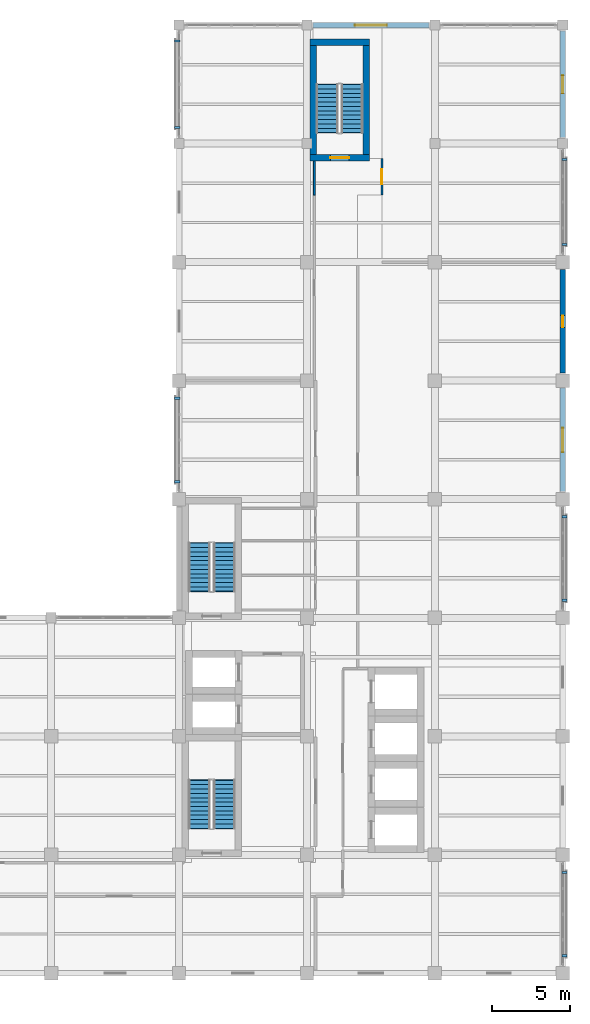
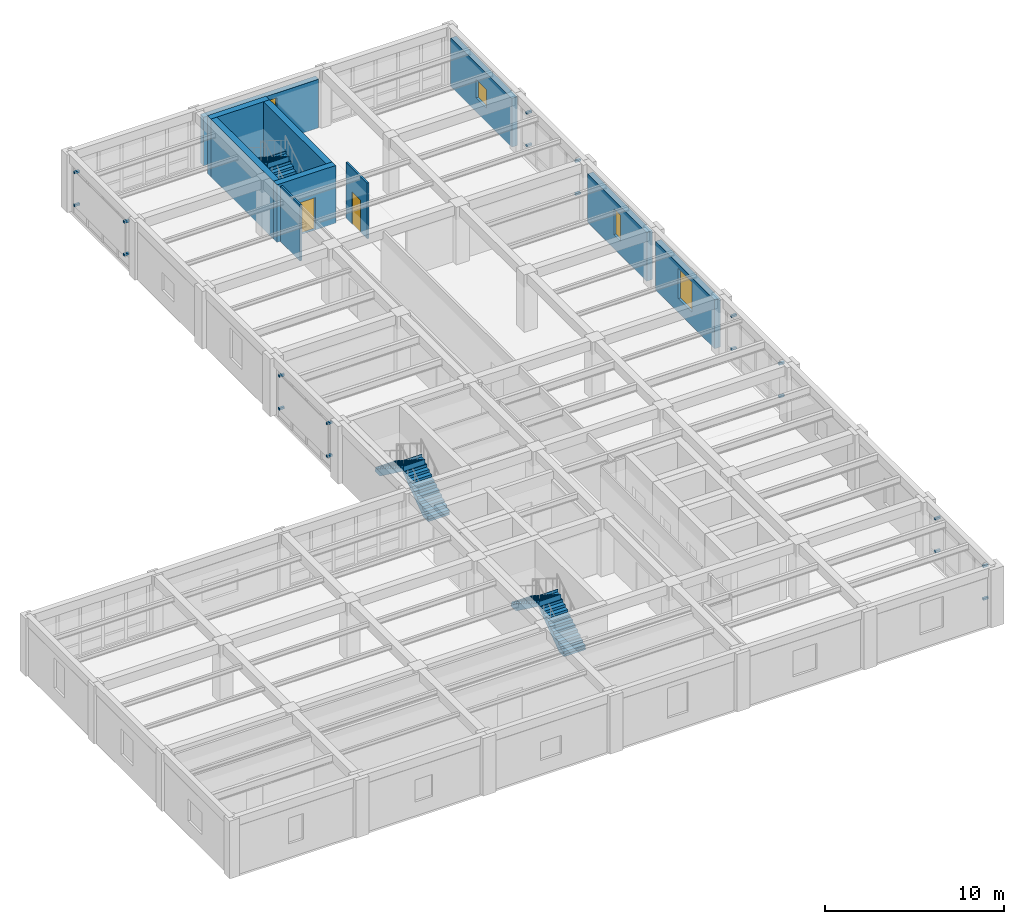
# One storey, part 11 of 17: 20 discrete accessories, 10 walls, 6 stair flights, 4 windows, 2 doors, 6 openings, 3 elements without a shape of their own.
"""IFC4 building model written with IfcOpenShell, lengths in metres."""

from ifc_helpers import new_model, si_unit, direction, frame, frame_2d, origin, origin_2d, place, context, subcontext, project, spatial, polyline, rectangle, outline, extrude, material, layer, layer_set, type_object, element, fill, aggregate, save


model = new_model("IFC4")

# Units and contexts
model_context = context("Model", 3, precision=1e-05, world=origin(), true_north=direction((0.0, 1.0)))
body_context = subcontext(model_context, "Body", "Model", "MODEL_VIEW")
ifc_project = project(units=[si_unit("LENGTHUNIT", "METRE"), si_unit("AREAUNIT", "SQUARE_METRE"), si_unit("VOLUMEUNIT", "CUBIC_METRE"), si_unit("PLANEANGLEUNIT", "RADIAN"), si_unit("MASSUNIT", "GRAM", prefix="KILO")], contexts=[model_context])

# Site, building, storey
site_placement = place(None, origin())
site = spatial("IfcSite", under=ifc_project, at=site_placement, CompositionType="ELEMENT")
building_placement = place(site_placement, origin())
building = spatial("IfcBuilding", under=site, at=building_placement, Name="Qandaris Square Conservatory and Botanical Centre", CompositionType="ELEMENT")
storey_placement = place(building_placement, frame((0.0, 0.0, 28.199951171875)))
storey = spatial("IfcBuildingStorey", under=building, at=storey_placement, Name="L06", CompositionType="ELEMENT", Elevation=28.199951171875)

# Wall, opening, window
ifc_material_1 = material(Name="Precast concrete C40/50", Category="concrete")
ifc_layer_1 = layer(ifc_material_1, 0.360107421875)
ifc_layer_set_1 = layer_set([ifc_layer_1], Name="Precast concrete C40/50")
wall_type_1 = type_object("IfcWallType", Name="Architectural Precast Cladding Wall 360mm", PredefinedType="SOLIDWALL", material=ifc_layer_set_1)
wall_1_placement = place(storey_placement, frame((163.800048828125, 47.485107421875, 0.0), z_axis=(0.0, 0.0, 1.0), x_axis=(0.0, 1.0, 0.0)))
wall_1 = element("IfcWall", 1, at=wall_1_placement, inside=storey, type_object=wall_type_1, Name="Exterior Wall EW-TWR-L06-2-5", PredefinedType="SOLIDWALL", context=body_context, shape_type="SweptSolid", body=[
    extrude(rectangle(XDim=6.6298828125, YDim=0.360107421875, at=frame_2d((3.31494140625, 0.0))), origin(), (0.0, 0.0, 1.0), 3.324951171875),
])
opening_1_placement = place(wall_1_placement, frame((2.5400390625, 0.0, 0.949951171875)))
opening_1 = element("IfcOpeningElement", 2, at=opening_1_placement, cuts=wall_1, Name="Opening WN-28", PredefinedType="OPENING", context=body_context, shape_type="SweptSolid", body=[
    extrude(rectangle(XDim=1.550048828125, YDim=2.050048828125, at=frame_2d((0.77490234375, 1.02490234375))), frame((0.0, 0.19189453125, 0.0), z_axis=(0.0, -1.0, 0.0), x_axis=(1.0, 0.0, 0.0)), (0.0, 0.0, 1.0), 0.384033203125),
])
ifc_material_2 = material(Name="Tempered Low-E Glass", Category="glass")
window_type_1 = type_object("IfcWindowType", Name="Solar Control Window 1550x2050", PartitioningType="DOUBLE_PANEL_VERTICAL", PredefinedType="WINDOW", material=ifc_material_2)
window_1_placement = place(opening_1_placement, origin())
window_1 = element("IfcWindow", 3, at=window_1_placement, inside=storey, type_object=window_type_1, Name="Window EW-TWR-L06-2-5", OverallHeight=2.050048828125, OverallWidth=1.550048828125, PartitioningType="DOUBLE_PANEL_VERTICAL", PredefinedType="WINDOW", context=body_context, shape_type="SweptSolid", body=[
    extrude(rectangle(XDim=1.550048828125, YDim=2.050048828125, at=frame_2d((0.77490234375, 1.02490234375))), frame((0.0, 0.030029296875, 0.0), z_axis=(0.0, -1.0, 0.0), x_axis=(1.0, 0.0, 0.0)), (0.0, 0.0, 1.0), 0.06005859375),
])
fill(opening_1, window_1)

wall_2_placement = place(storey_placement, frame((163.800048828125, 55.0849609375, 0.0), z_axis=(0.0, 0.0, 1.0), x_axis=(0.0, 1.0, 0.0)))
wall_2 = element("IfcWall", 4, at=wall_2_placement, inside=storey, type_object=wall_type_1, Name="Exterior Wall EW-TWR-L06-2-6", PredefinedType="SOLIDWALL", context=body_context, shape_type="SweptSolid", body=[
    extrude(rectangle(XDim=6.630126953125, YDim=0.360107421875, at=frame_2d((3.31494140625, 0.0))), origin(), (0.0, 0.0, 1.0), 3.324951171875),
])
opening_2_placement = place(wall_2_placement, frame((2.93994140625, 0.0, 0.949951171875)))
opening_2 = element("IfcOpeningElement", 5, at=opening_2_placement, cuts=wall_2, Name="Opening WN-03", PredefinedType="OPENING", context=body_context, shape_type="SweptSolid", body=[
    extrude(rectangle(XDim=0.75, YDim=1.800048828125, at=frame_2d((0.375, 0.89990234375))), frame((0.0, 0.19189453125, 0.0), z_axis=(0.0, -1.0, 0.0), x_axis=(1.0, 0.0, 0.0)), (0.0, 0.0, 1.0), 0.384033203125),
])
window_type_2 = type_object("IfcWindowType", Name="Herbarium UV-Filtered Slot Window 750x1800", PartitioningType="SINGLE_PANEL", PredefinedType="WINDOW", material=ifc_material_2)
window_2_placement = place(opening_2_placement, origin())
window_2 = element("IfcWindow", 6, at=window_2_placement, inside=storey, type_object=window_type_2, Name="Window EW-TWR-L06-2-6", OverallHeight=1.800048828125, OverallWidth=0.75, PartitioningType="SINGLE_PANEL", PredefinedType="WINDOW", context=body_context, shape_type="SweptSolid", body=[
    extrude(rectangle(XDim=0.75, YDim=1.800048828125, at=frame_2d((0.375, 0.89990234375))), frame((0.0, 0.030029296875, 0.0), z_axis=(0.0, -1.0, 0.0), x_axis=(1.0, 0.0, 0.0)), (0.0, 0.0, 1.0), 0.06005859375),
])
fill(opening_2, window_2)

wall_3_placement = place(storey_placement, frame((163.800048828125, 70.18505859375, 0.0), z_axis=(0.0, 0.0, 1.0), x_axis=(0.0, 1.0, 0.0)))
wall_3 = element("IfcWall", 7, at=wall_3_placement, inside=storey, type_object=wall_type_1, Name="Exterior Wall EW-TWR-L06-2-8", PredefinedType="SOLIDWALL", context=body_context, shape_type="SweptSolid", body=[
    extrude(rectangle(XDim=6.829833984375, YDim=0.360107421875, at=frame_2d((3.4150390625, 0.0))), origin(), (0.0, 0.0, 1.0), 3.324951171875),
])
opening_3_placement = place(wall_3_placement, frame((2.840087890625, 0.0, 0.949951171875)))
opening_3 = element("IfcOpeningElement", 8, at=opening_3_placement, cuts=wall_3, Name="Opening WN-17", PredefinedType="OPENING", context=body_context, shape_type="SweptSolid", body=[
    extrude(rectangle(XDim=1.14990234375, YDim=1.25, at=frame_2d((0.574951171875, 0.625))), frame((0.0, 0.19189453125, 0.0), z_axis=(0.0, -1.0, 0.0), x_axis=(1.0, 0.0, 0.0)), (0.0, 0.0, 1.0), 0.384033203125),
])
window_type_3 = type_object("IfcWindowType", Name="Solar Control Window 1150x1250", PartitioningType="SINGLE_PANEL", PredefinedType="WINDOW", material=ifc_material_2)
window_3_placement = place(opening_3_placement, origin())
window_3 = element("IfcWindow", 9, at=window_3_placement, inside=storey, type_object=window_type_3, Name="Window EW-TWR-L06-2-8", OverallHeight=1.25, OverallWidth=1.14990234375, PartitioningType="SINGLE_PANEL", PredefinedType="WINDOW", context=body_context, shape_type="SweptSolid", body=[
    extrude(rectangle(XDim=1.14990234375, YDim=1.25, at=frame_2d((0.574951171875, 0.625))), frame((0.0, 0.030029296875, 0.0), z_axis=(0.0, -1.0, 0.0), x_axis=(1.0, 0.0, 0.0)), (0.0, 0.0, 1.0), 0.06005859375),
])
fill(opening_3, window_3)

wall_4_placement = place(storey_placement, frame((155.215087890625, 77.39990234375, 0.0), z_axis=(0.0, 0.0, 1.0), x_axis=(-1.0, 0.0, 0.0)))
wall_4 = element("IfcWall", 10, at=wall_4_placement, inside=storey, type_object=wall_type_1, Name="Exterior Wall EW-TWR-L06-3-2", PredefinedType="SOLIDWALL", context=body_context, shape_type="SweptSolid", body=[
    extrude(rectangle(XDim=7.43017578125, YDim=0.360107421875, at=frame_2d((3.715087890625, 0.0))), origin(), (0.0, 0.0, 1.0), 3.324951171875),
])
opening_4_placement = place(wall_4_placement, frame((2.68994140625, 0.0, 0.949951171875)))
opening_4 = element("IfcOpeningElement", 11, at=opening_4_placement, cuts=wall_4, Name="Opening WN-36", PredefinedType="OPENING", context=body_context, shape_type="SweptSolid", body=[
    extrude(rectangle(XDim=2.050048828125, YDim=2.050048828125, at=frame_2d((1.02490234375, 1.02490234375))), frame((0.0, 0.19189453125, 0.0), z_axis=(0.0, -1.0, 0.0), x_axis=(1.0, 0.0, 0.0)), (0.0, 0.0, 1.0), 0.384033203125),
])
window_type_4 = type_object("IfcWindowType", Name="Solar Control Window 2050x2050", PartitioningType="DOUBLE_PANEL_VERTICAL", PredefinedType="WINDOW", material=ifc_material_2)
window_4_placement = place(opening_4_placement, origin())
window_4 = element("IfcWindow", 12, at=window_4_placement, inside=storey, type_object=window_type_4, Name="Window EW-TWR-L06-3-2", OverallHeight=2.050048828125, OverallWidth=2.050048828125, PartitioningType="DOUBLE_PANEL_VERTICAL", PredefinedType="WINDOW", context=body_context, shape_type="SweptSolid", body=[
    extrude(rectangle(XDim=2.050048828125, YDim=2.050048828125, at=frame_2d((1.02490234375, 1.02490234375))), frame((0.0, 0.030029296875, 0.0), z_axis=(0.0, -1.0, 0.0), x_axis=(1.0, 0.0, 0.0)), (0.0, 0.0, 1.0), 0.06005859375),
])
fill(opening_4, window_4)

# Wall, opening, door
ifc_material_3 = material(Name="Concrete C50/60", Category="concrete")
ifc_layer_2 = layer(ifc_material_3, 0.39990234375)
ifc_layer_set_2 = layer_set([ifc_layer_2], Name="Concrete C50/60")
wall_type_2 = type_object("IfcWallType", Name="RC Stair Core Shear Wall 400mm", PredefinedType="SHEAR", material=ifc_layer_set_2)
wall_5_placement = place(storey_placement, frame((147.60009765625, 68.89990234375, 0.0), z_axis=(0.0, 0.0, 1.0), x_axis=(1.0, 0.0, 0.0)))
wall_5 = element("IfcWall", 13, at=wall_5_placement, inside=storey, type_object=wall_type_2, Name="ST-3 Core Shear Wall South (L06)", PredefinedType="SHEAR", context=body_context, shape_type="SweptSolid", body=[
    extrude(rectangle(XDim=3.7998046875, YDim=0.39990234375, at=frame_2d((1.89990234375, 0.0))), origin(), (0.0, 0.0, 1.0), 3.93994140625),
])
opening_5_placement = place(wall_5_placement, frame((1.300048828125, 0.0, 0.0)))
opening_5 = element("IfcOpeningElement", 14, at=opening_5_placement, cuts=wall_5, Name="Opening D-ST1", PredefinedType="OPENING", context=body_context, shape_type="SweptSolid", body=[
    extrude(rectangle(XDim=1.199951171875, YDim=2.199951171875, at=frame_2d((0.60009765625, 1.10009765625))), frame((0.0, 0.2119140625, 0.0), z_axis=(0.0, -1.0, 0.0), x_axis=(1.0, 0.0, 0.0)), (0.0, 0.0, 1.0), 0.423828125),
])
ifc_material_4 = material(Name="Steel S355", Category="steel")
door_type_1 = type_object("IfcDoorType", Name="Exit Stair Core Fire Door 1200x2200", OperationType="NOTDEFINED", PredefinedType="DOOR", material=ifc_material_4)
door_1_placement = place(opening_5_placement, origin())
door_1 = element("IfcDoor", 15, at=door_1_placement, inside=storey, type_object=door_type_1, Name="DR-0235 ST-3 Stair Core Door (L06)", OperationType="SINGLE_SWING_RIGHT", OverallHeight=2.199951171875, OverallWidth=1.199951171875, PredefinedType="DOOR", context=body_context, shape_type="SweptSolid", body=[
    extrude(rectangle(XDim=1.199951171875, YDim=2.199951171875, at=frame_2d((0.60009765625, 1.10009765625))), frame((0.0, 0.02490234375, 0.0), z_axis=(0.0, -1.0, 0.0), x_axis=(1.0, 0.0, 0.0)), (0.0, 0.0, 1.0), 0.050048828125),
])
fill(opening_5, door_1)

# Walls
wall_6_placement = place(storey_placement, frame((147.60009765625, 76.300048828125, 0.0), z_axis=(0.0, 0.0, 1.0), x_axis=(1.0, 0.0, 0.0)))
element("IfcWall", 16, at=wall_6_placement, inside=storey, type_object=wall_type_2, Name="ST-3 Core Shear Wall North (L06)", PredefinedType="SHEAR", context=body_context, shape_type="SweptSolid", body=[
    extrude(rectangle(XDim=3.7998046875, YDim=0.39990234375, at=frame_2d((1.89990234375, 0.0))), origin(), (0.0, 0.0, 1.0), 3.93994140625),
])
for number, where, z_axis, x_axis, name in (
    (17, (147.800048828125, 69.10009765625, 0.0), (0.0, 0.0, 1.0), (0.0, 1.0, 0.0), "ST-3 Core Shear Wall West (L06)"),
    (18, (151.199951171875, 69.10009765625, 0.0), (0.0, 0.0, 1.0), (0.0, 1.0, 0.0), "ST-3 Core Shear Wall East (L06)"),
):
    element("IfcWall", number, at=place(storey_placement, frame(where, z_axis=z_axis, x_axis=x_axis)), inside=storey, type_object=wall_type_2, Name=name, PredefinedType="SHEAR", context=body_context, shape_type="SweptSolid", body=[
        extrude(rectangle(XDim=7.0, YDim=0.39990234375, at=frame_2d((3.5, 0.0))), origin(), (0.0, 0.0, 1.0), 3.93994140625),
    ])
ifc_material_5 = material(Name="Gypsum Plasterboard", Category="gypsum")
ifc_layer_3 = layer(ifc_material_5, 0.1201171875)
ifc_layer_set_3 = layer_set([ifc_layer_3], Name="Gypsum Plasterboard")
wall_type_3 = type_object("IfcWallType", Name="Standard Research Partition 120mm", PredefinedType="PARTITIONING", material=ifc_layer_set_3)
wall_7_placement = place(storey_placement, frame((147.875, 66.5, 0.0), z_axis=(0.0, 0.0, 1.0), x_axis=(0.0, 1.0, 0.0)))
element("IfcWall", 19, at=wall_7_placement, inside=storey, type_object=wall_type_3, Name="Interior Partition IW-L06-0258", PredefinedType="PARTITIONING", context=body_context, shape_type="SweptSolid", body=[
    extrude(rectangle(XDim=2.169921875, YDim=0.1201171875, at=frame_2d((1.0849609375, 0.0))), origin(), (0.0, 0.0, 1.0), 3.804931640625),
])

# Wall, opening, door
wall_8_placement = place(storey_placement, frame((152.199951171875, 68.85009765625, 0.0), z_axis=(0.0, 0.0, 1.0), x_axis=(0.0, -1.0, 0.0)))
wall_8 = element("IfcWall", 20, at=wall_8_placement, inside=storey, type_object=wall_type_3, Name="Interior Partition IW-L06-0259", PredefinedType="PARTITIONING", context=body_context, shape_type="SweptSolid", body=[
    extrude(rectangle(XDim=2.35009765625, YDim=0.1201171875, at=frame_2d((1.175048828125, 0.0))), origin(), (0.0, 0.0, 1.0), 3.804931640625),
])
opening_6_placement = place(wall_8_placement, frame((0.699951171875, 0.0, 0.0)))
opening_6 = element("IfcOpeningElement", 21, at=opening_6_placement, cuts=wall_8, Name="Opening D-OFF1", PredefinedType="OPENING", context=body_context, shape_type="SweptSolid", body=[
    extrude(rectangle(XDim=0.949951171875, YDim=2.199951171875, at=frame_2d((0.47509765625, 1.10009765625))), frame((0.0, 0.072021484375, 0.0), z_axis=(0.0, -1.0, 0.0), x_axis=(1.0, 0.0, 0.0)), (0.0, 0.0, 1.0), 0.14404296875),
])
ifc_material_6 = material(Name="Engineered Oak Timber", Category="wood")
door_type_2 = type_object("IfcDoorType", Name="Research Office Acoustic Door 950x2200", OperationType="NOTDEFINED", PredefinedType="DOOR", material=ifc_material_6)
door_2_placement = place(opening_6_placement, origin())
door_2 = element("IfcDoor", 22, at=door_2_placement, inside=storey, type_object=door_type_2, Name="DR-0231 Floor L06 Staff Write-Up Lounge Door", OperationType="SINGLE_SWING_LEFT", OverallHeight=2.199951171875, OverallWidth=0.949951171875, PredefinedType="DOOR", context=body_context, shape_type="SweptSolid", body=[
    extrude(rectangle(XDim=0.949951171875, YDim=2.199951171875, at=frame_2d((0.47509765625, 1.10009765625))), frame((0.0, 0.02490234375, 0.0), z_axis=(0.0, -1.0, 0.0), x_axis=(1.0, 0.0, 0.0)), (0.0, 0.0, 1.0), 0.050048828125),
])
fill(opening_6, door_2)

# Stair, stair flights
ifc_material_7 = material(Name="Concrete C40/50", Category="concrete")
stair_type = type_object("IfcStairType", Name="Core Escape Scissor Stair", PredefinedType="HALF_TURN_STAIR", material=ifc_material_7)
stair_1_placement = place(storey_placement, origin())
stair_1 = element("IfcStair", 23, at=stair_1_placement, inside=storey, type_object=stair_type, Name="L06 Tower South Exit Stair ST-1", PredefinedType="HALF_TURN_STAIR")
stair_flight_type = type_object("IfcStairFlightType", Name="RC Precast Stair Flight 1400mm", PredefinedType="STRAIGHT", material=ifc_material_1)
stair_flight_1_placement = place(storey_placement, frame((142.10009765625, 25.89990234375, 0.0), z_axis=(0.0, 0.0, 1.0), x_axis=(0.0, 1.0, 0.0)))
stair_flight_1 = element("IfcStairFlight", 24, at=stair_flight_1_placement, type_object=stair_flight_type, Name="ST-1 flight 1", NumberOfRisers=12, NumberOfTreads=11, PredefinedType="STRAIGHT", RiserHeight=0.175, TreadLength=0.28, context=body_context, shape_type="SweptSolid", body=[
    extrude(outline(polyline([(-0.034912109375, 0.0), (0.0, 0.0), (0.0, 0.175048828125), (0.280029296875, 0.175048828125), (0.280029296875, 0.35009765625), (0.56005859375, 0.35009765625), (0.56005859375, 0.52490234375), (0.840087890625, 0.52490234375), (0.840087890625, 0.699951171875), (1.1201171875, 0.699951171875), (1.1201171875, 0.875), (1.39990234375, 0.875), (1.39990234375, 1.050048828125), (1.679931640625, 1.050048828125), (1.679931640625, 1.22509765625), (1.9599609375, 1.22509765625), (1.9599609375, 1.39990234375), (2.239990234375, 1.39990234375), (2.239990234375, 1.574951171875), (2.52001953125, 1.574951171875), (2.52001953125, 1.75), (2.800048828125, 1.75), (2.800048828125, 1.925048828125), (3.080078125, 1.925048828125), (3.080078125, 2.10009765625), (3.114990234375, 2.10009765625), (3.114990234375, 1.748291015625), (3.080078125, 1.748291015625), (0.5068359375, -0.139892578125), (-0.034912109375, -0.139892578125), (-0.034912109375, 0.0)])), frame((0.0, 0.699951171875, 0.0), z_axis=(0.0, -1.0, 0.0), x_axis=(1.0, 0.0, 0.0)), (0.0, 0.0, 1.0), 1.39990234375),
])
stair_flight_2_placement = place(storey_placement, frame((140.5, 28.97998046875, 2.10009765625), z_axis=(0.0, 0.0, 1.0), x_axis=(0.0, -1.0, 0.0)))
stair_flight_2 = element("IfcStairFlight", 25, at=stair_flight_2_placement, type_object=stair_flight_type, Name="ST-1 flight 2", NumberOfRisers=12, NumberOfTreads=11, PredefinedType="STRAIGHT", RiserHeight=0.175, TreadLength=0.28, context=body_context, shape_type="SweptSolid", body=[
    extrude(outline(polyline([(-0.034912109375, 0.0), (0.0, 0.0), (0.0, 0.175048828125), (0.280029296875, 0.175048828125), (0.280029296875, 0.35009765625), (0.56005859375, 0.35009765625), (0.56005859375, 0.52490234375), (0.840087890625, 0.52490234375), (0.840087890625, 0.699951171875), (1.1201171875, 0.699951171875), (1.1201171875, 0.875), (1.39990234375, 0.875), (1.39990234375, 1.050048828125), (1.679931640625, 1.050048828125), (1.679931640625, 1.22509765625), (1.9599609375, 1.22509765625), (1.9599609375, 1.39990234375), (2.239990234375, 1.39990234375), (2.239990234375, 1.574951171875), (2.52001953125, 1.574951171875), (2.52001953125, 1.75), (2.800048828125, 1.75), (2.800048828125, 1.925048828125), (3.080078125, 1.925048828125), (3.080078125, 2.10009765625), (3.114990234375, 2.10009765625), (3.114990234375, 1.748291015625), (3.080078125, 1.748291015625), (0.5068359375, -0.139892578125), (-0.034912109375, -0.139892578125), (-0.034912109375, 0.0)])), frame((0.0, 0.699951171875, 0.0), z_axis=(0.0, -1.0, 0.0), x_axis=(1.0, 0.0, 0.0)), (0.0, 0.0, 1.0), 1.39990234375),
])
aggregate(stair_1, [stair_flight_1, stair_flight_2])

stair_2_placement = place(storey_placement, origin())
stair_2 = element("IfcStair", 26, at=stair_2_placement, inside=storey, type_object=stair_type, Name="L06 Tower North Exit Stair ST-2", PredefinedType="HALF_TURN_STAIR")
stair_flight_3_placement = place(storey_placement, frame((142.10009765625, 41.10009765625, 0.0), z_axis=(0.0, 0.0, 1.0), x_axis=(0.0, 1.0, 0.0)))
stair_flight_3 = element("IfcStairFlight", 27, at=stair_flight_3_placement, type_object=stair_flight_type, Name="ST-2 flight 1", NumberOfRisers=12, NumberOfTreads=11, PredefinedType="STRAIGHT", RiserHeight=0.175, TreadLength=0.28, context=body_context, shape_type="SweptSolid", body=[
    extrude(outline(polyline([(-0.034912109375, 0.0), (0.0, 0.0), (0.0, 0.175048828125), (0.280029296875, 0.175048828125), (0.280029296875, 0.35009765625), (0.56005859375, 0.35009765625), (0.56005859375, 0.52490234375), (0.840087890625, 0.52490234375), (0.840087890625, 0.699951171875), (1.1201171875, 0.699951171875), (1.1201171875, 0.875), (1.39990234375, 0.875), (1.39990234375, 1.050048828125), (1.679931640625, 1.050048828125), (1.679931640625, 1.22509765625), (1.9599609375, 1.22509765625), (1.9599609375, 1.39990234375), (2.239990234375, 1.39990234375), (2.239990234375, 1.574951171875), (2.52001953125, 1.574951171875), (2.52001953125, 1.75), (2.800048828125, 1.75), (2.800048828125, 1.925048828125), (3.080078125, 1.925048828125), (3.080078125, 2.10009765625), (3.114990234375, 2.10009765625), (3.114990234375, 1.748291015625), (3.080078125, 1.748291015625), (0.5068359375, -0.139892578125), (-0.034912109375, -0.139892578125), (-0.034912109375, 0.0)])), frame((0.0, 0.699951171875, 0.0), z_axis=(0.0, -1.0, 0.0), x_axis=(1.0, 0.0, 0.0)), (0.0, 0.0, 1.0), 1.39990234375),
])
stair_flight_4_placement = place(storey_placement, frame((140.5, 44.179931640625, 2.10009765625), z_axis=(0.0, 0.0, 1.0), x_axis=(0.0, -1.0, 0.0)))
stair_flight_4 = element("IfcStairFlight", 28, at=stair_flight_4_placement, type_object=stair_flight_type, Name="ST-2 flight 2", NumberOfRisers=12, NumberOfTreads=11, PredefinedType="STRAIGHT", RiserHeight=0.175, TreadLength=0.28, context=body_context, shape_type="SweptSolid", body=[
    extrude(outline(polyline([(-0.034912109375, 0.0), (0.0, 0.0), (0.0, 0.175048828125), (0.280029296875, 0.175048828125), (0.280029296875, 0.35009765625), (0.56005859375, 0.35009765625), (0.56005859375, 0.52490234375), (0.840087890625, 0.52490234375), (0.840087890625, 0.699951171875), (1.1201171875, 0.699951171875), (1.1201171875, 0.875), (1.39990234375, 0.875), (1.39990234375, 1.050048828125), (1.679931640625, 1.050048828125), (1.679931640625, 1.22509765625), (1.9599609375, 1.22509765625), (1.9599609375, 1.39990234375), (2.239990234375, 1.39990234375), (2.239990234375, 1.574951171875), (2.52001953125, 1.574951171875), (2.52001953125, 1.75), (2.800048828125, 1.75), (2.800048828125, 1.925048828125), (3.080078125, 1.925048828125), (3.080078125, 2.10009765625), (3.114990234375, 2.10009765625), (3.114990234375, 1.748291015625), (3.080078125, 1.748291015625), (0.5068359375, -0.139892578125), (-0.034912109375, -0.139892578125), (-0.034912109375, 0.0)])), frame((0.0, 0.699951171875, 0.0), z_axis=(0.0, -1.0, 0.0), x_axis=(1.0, 0.0, 0.0)), (0.0, 0.0, 1.0), 1.39990234375),
])
aggregate(stair_2, [stair_flight_3, stair_flight_4])

stair_3_placement = place(storey_placement, origin())
stair_3 = element("IfcStair", 29, at=stair_3_placement, inside=storey, type_object=stair_type, Name="L06 Herbarium North Exit Stair ST-3", PredefinedType="HALF_TURN_STAIR")
stair_flight_5_placement = place(storey_placement, frame((150.300048828125, 70.5, 0.0), z_axis=(0.0, 0.0, 1.0), x_axis=(0.0, 1.0, 0.0)))
stair_flight_5 = element("IfcStairFlight", 30, at=stair_flight_5_placement, type_object=stair_flight_type, Name="ST-3 flight 1", NumberOfRisers=12, NumberOfTreads=11, PredefinedType="STRAIGHT", RiserHeight=0.175, TreadLength=0.28, context=body_context, shape_type="SweptSolid", body=[
    extrude(outline(polyline([(-0.034912109375, 0.0), (0.0, 0.0), (0.0, 0.175048828125), (0.280029296875, 0.175048828125), (0.280029296875, 0.35009765625), (0.56005859375, 0.35009765625), (0.56005859375, 0.52490234375), (0.840087890625, 0.52490234375), (0.840087890625, 0.699951171875), (1.1201171875, 0.699951171875), (1.1201171875, 0.875), (1.39990234375, 0.875), (1.39990234375, 1.050048828125), (1.679931640625, 1.050048828125), (1.679931640625, 1.22509765625), (1.9599609375, 1.22509765625), (1.9599609375, 1.39990234375), (2.239990234375, 1.39990234375), (2.239990234375, 1.574951171875), (2.52001953125, 1.574951171875), (2.52001953125, 1.75), (2.800048828125, 1.75), (2.800048828125, 1.925048828125), (3.080078125, 1.925048828125), (3.080078125, 2.10009765625), (3.114990234375, 2.10009765625), (3.114990234375, 1.748291015625), (3.080078125, 1.748291015625), (0.5068359375, -0.139892578125), (-0.034912109375, -0.139892578125), (-0.034912109375, 0.0)])), frame((0.0, 0.699951171875, 0.0), z_axis=(0.0, -1.0, 0.0), x_axis=(1.0, 0.0, 0.0)), (0.0, 0.0, 1.0), 1.39990234375),
])
stair_flight_6_placement = place(storey_placement, frame((148.699951171875, 73.580078125, 2.10009765625), z_axis=(0.0, 0.0, 1.0), x_axis=(0.0, -1.0, 0.0)))
stair_flight_6 = element("IfcStairFlight", 31, at=stair_flight_6_placement, type_object=stair_flight_type, Name="ST-3 flight 2", NumberOfRisers=12, NumberOfTreads=11, PredefinedType="STRAIGHT", RiserHeight=0.175, TreadLength=0.28, context=body_context, shape_type="SweptSolid", body=[
    extrude(outline(polyline([(-0.034912109375, 0.0), (0.0, 0.0), (0.0, 0.175048828125), (0.280029296875, 0.175048828125), (0.280029296875, 0.35009765625), (0.56005859375, 0.35009765625), (0.56005859375, 0.52490234375), (0.840087890625, 0.52490234375), (0.840087890625, 0.699951171875), (1.1201171875, 0.699951171875), (1.1201171875, 0.875), (1.39990234375, 0.875), (1.39990234375, 1.050048828125), (1.679931640625, 1.050048828125), (1.679931640625, 1.22509765625), (1.9599609375, 1.22509765625), (1.9599609375, 1.39990234375), (2.239990234375, 1.39990234375), (2.239990234375, 1.574951171875), (2.52001953125, 1.574951171875), (2.52001953125, 1.75), (2.800048828125, 1.75), (2.800048828125, 1.925048828125), (3.080078125, 1.925048828125), (3.080078125, 2.10009765625), (3.114990234375, 2.10009765625), (3.114990234375, 1.748291015625), (3.080078125, 1.748291015625), (0.5068359375, -0.139892578125), (-0.034912109375, -0.139892578125), (-0.034912109375, 0.0)])), frame((0.0, 0.699951171875, 0.0), z_axis=(0.0, -1.0, 0.0), x_axis=(1.0, 0.0, 0.0)), (0.0, 0.0, 1.0), 1.39990234375),
])
aggregate(stair_3, [stair_flight_5, stair_flight_6])

# Discrete accessories
discrete_accessory_type = type_object("IfcDiscreteAccessoryType", Name="Mashrabiya Support Outrigger Bracket", PredefinedType="BRACKET", material=ifc_material_4)
for number, where, z_axis, x_axis, name in (
    (32, (163.909912109375, 17.72509765625, 0.8515625), (0.0, 0.0, 1.0), (0.0, 1.0, 0.0), "Mashrabiya Bracket CW-TWR-L06-2-1-BRK-6-291"),
    (33, (163.909912109375, 17.72509765625, 3.09033203125), (0.0, 0.0, 1.0), (0.0, 1.0, 0.0), "Mashrabiya Bracket CW-TWR-L06-2-1-BRK-6-314"),
    (34, (163.909912109375, 23.074951171875, 0.8515625), (0.0, 0.0, 1.0), (0.0, 1.0, 0.0), "Mashrabiya Bracket CW-TWR-L06-2-1-BRK-60-291"),
    (35, (163.909912109375, 23.074951171875, 3.09033203125), (0.0, 0.0, 1.0), (0.0, 1.0, 0.0), "Mashrabiya Bracket CW-TWR-L06-2-1-BRK-60-314"),
    (36, (163.909912109375, 40.52490234375, 0.8515625), (0.0, 0.0, 1.0), (0.0, 1.0, 0.0), "Mashrabiya Bracket CW-TWR-L06-2-4-BRK-6-291"),
    (37, (163.909912109375, 40.52490234375, 3.09033203125), (0.0, 0.0, 1.0), (0.0, 1.0, 0.0), "Mashrabiya Bracket CW-TWR-L06-2-4-BRK-6-314"),
    (38, (163.909912109375, 45.875, 0.8515625), (0.0, 0.0, 1.0), (0.0, 1.0, 0.0), "Mashrabiya Bracket CW-TWR-L06-2-4-BRK-60-291"),
    (39, (163.909912109375, 45.875, 3.09033203125), (0.0, 0.0, 1.0), (0.0, 1.0, 0.0), "Mashrabiya Bracket CW-TWR-L06-2-4-BRK-60-314"),
    (40, (163.909912109375, 63.324951171875, 0.8515625), (0.0, 0.0, 1.0), (0.0, 1.0, 0.0), "Mashrabiya Bracket CW-TWR-L06-2-7-BRK-6-291"),
    (41, (163.909912109375, 63.324951171875, 3.09033203125), (0.0, 0.0, 1.0), (0.0, 1.0, 0.0), "Mashrabiya Bracket CW-TWR-L06-2-7-BRK-6-314"),
    (42, (163.909912109375, 68.77490234375, 0.8515625), (0.0, 0.0, 1.0), (0.0, 1.0, 0.0), "Mashrabiya Bracket CW-TWR-L06-2-7-BRK-60-291"),
    (43, (163.909912109375, 68.77490234375, 3.09033203125), (0.0, 0.0, 1.0), (0.0, 1.0, 0.0), "Mashrabiya Bracket CW-TWR-L06-2-7-BRK-60-314"),
    (44, (139.090087890625, 76.375, 0.8515625), (0.0, 0.0, 1.0), (0.0, -1.0, 0.0), "Mashrabiya Bracket CW-TWR-L06-4-1-BRK-6-291"),
    (45, (139.090087890625, 76.375, 3.09033203125), (0.0, 0.0, 1.0), (0.0, -1.0, 0.0), "Mashrabiya Bracket CW-TWR-L06-4-1-BRK-6-314"),
    (46, (139.090087890625, 70.824951171875, 0.8515625), (0.0, 0.0, 1.0), (0.0, -1.0, 0.0), "Mashrabiya Bracket CW-TWR-L06-4-1-BRK-62-291"),
    (47, (139.090087890625, 70.824951171875, 3.09033203125), (0.0, 0.0, 1.0), (0.0, -1.0, 0.0), "Mashrabiya Bracket CW-TWR-L06-4-1-BRK-62-314"),
    (48, (139.090087890625, 53.47509765625, 0.8515625), (0.0, 0.0, 1.0), (0.0, -1.0, 0.0), "Mashrabiya Bracket CW-TWR-L06-4-4-BRK-6-291"),
    (49, (139.090087890625, 53.47509765625, 3.09033203125), (0.0, 0.0, 1.0), (0.0, -1.0, 0.0), "Mashrabiya Bracket CW-TWR-L06-4-4-BRK-6-314"),
    (50, (139.090087890625, 48.125, 0.8515625), (0.0, 0.0, 1.0), (0.0, -1.0, 0.0), "Mashrabiya Bracket CW-TWR-L06-4-4-BRK-60-291"),
    (51, (139.090087890625, 48.125, 3.09033203125), (0.0, 0.0, 1.0), (0.0, -1.0, 0.0), "Mashrabiya Bracket CW-TWR-L06-4-4-BRK-60-314"),
):
    element("IfcDiscreteAccessory", number, at=place(storey_placement, frame(where, z_axis=z_axis, x_axis=x_axis)), inside=storey, type_object=discrete_accessory_type, Name=name, PredefinedType="BRACKET", context=body_context, shape_type="SweptSolid", body=[
        extrude(rectangle(XDim=0.139892578125, YDim=0.340087890625, at=origin_2d()), origin(), (0.0, 0.0, 1.0), 0.139892578125),
    ])

save(model, "model.ifc")
